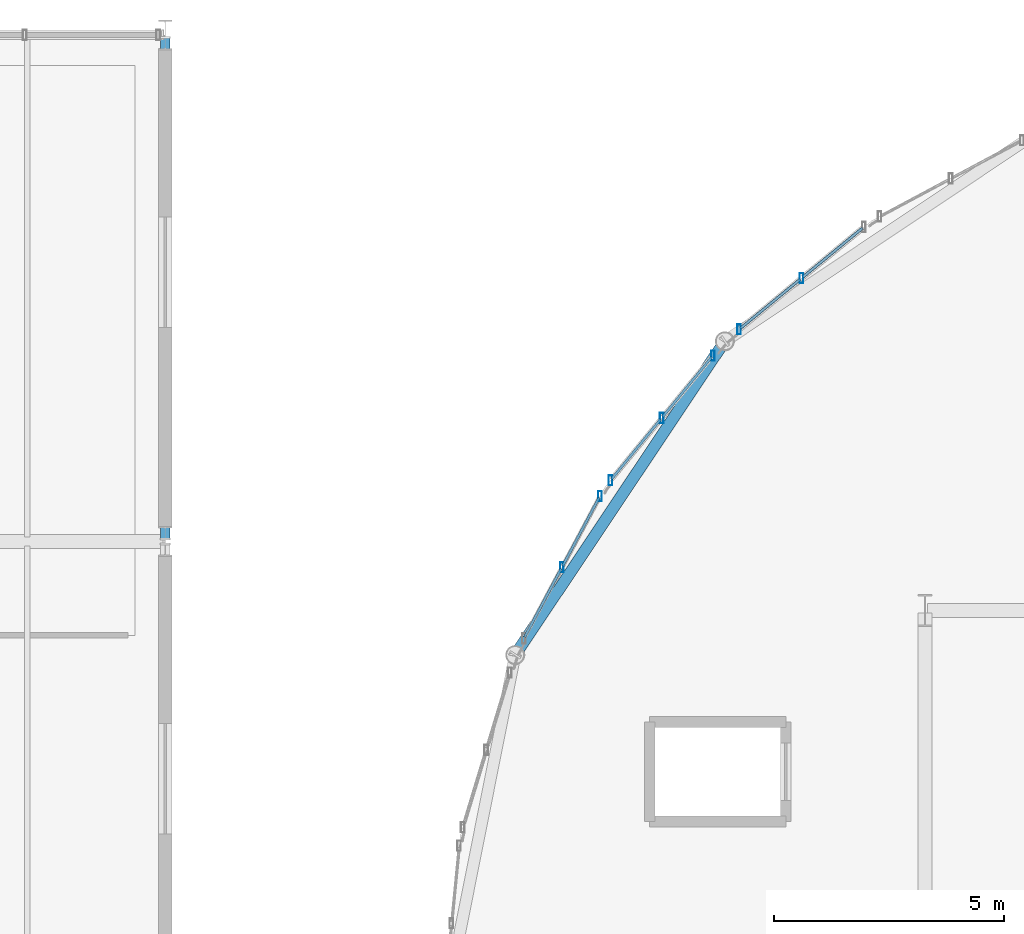
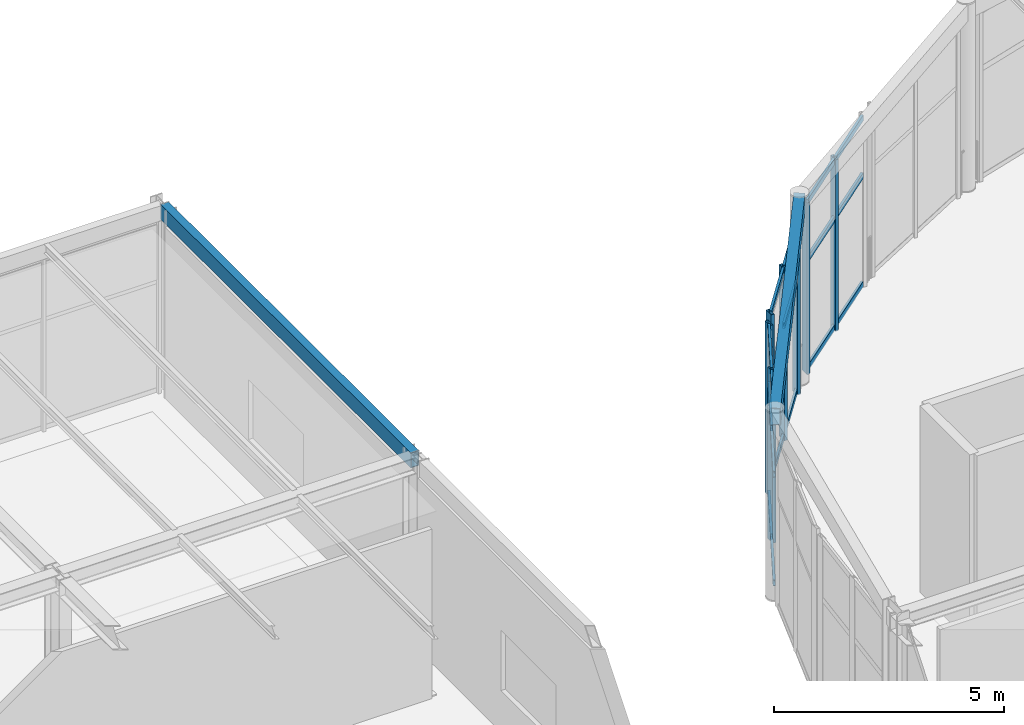
# One storey, part 56 of 195: 25 members, 2 beams, 3 elements without a shape of their own.
"""IFC4 building model written with IfcOpenShell, lengths in metres."""

from ifc_helpers import new_model, si_unit, direction, frame, origin, origin_2d, place, context, subcontext, project, spatial, hollow_rectangle, extrude, material, layer, layer_set, material_profile, profile_set, type_object, element, aggregate, save


model = new_model("IFC4")

# Units and contexts
model_context = context("Model", 3, precision=1e-05, world=origin(), true_north=direction((0.0, 1.0)))
body_context = subcontext(model_context, "Body", "Model", "MODEL_VIEW")
ifc_project = project(units=[si_unit("LENGTHUNIT", "METRE"), si_unit("AREAUNIT", "SQUARE_METRE"), si_unit("VOLUMEUNIT", "CUBIC_METRE"), si_unit("PLANEANGLEUNIT", "RADIAN"), si_unit("MASSUNIT", "GRAM", prefix="KILO")], contexts=[model_context])

# Site, building, storey
site_placement = place(None, origin())
site = spatial("IfcSite", under=ifc_project, at=site_placement, CompositionType="ELEMENT")
building_placement = place(site_placement, origin())
building = spatial("IfcBuilding", under=site, at=building_placement, Name="Marlcrest Central Station", CompositionType="ELEMENT")
storey_placement = place(building_placement, frame((0.0, 0.0, 9.800048828125)))
storey = spatial("IfcBuildingStorey", under=building, at=storey_placement, Name="L02", CompositionType="ELEMENT", Elevation=9.800048828125)

# Curtain wall, members
ifc_material_1 = material(Name="Anodised aluminium and hurricane laminated glass", Category="aluminium")
ifc_layer = layer(ifc_material_1, 0.219970703125, Name="CW-U1")
ifc_layer_set = layer_set([ifc_layer], Name="Anodised aluminium and hurricane laminated glass")
curtain_wall_type = type_object("IfcCurtainWallType", Name="CW-U1", PredefinedType="USERDEFINED", material=ifc_layer_set)
curtain_wall_1_placement = place(storey_placement, origin())
curtain_wall_1 = element("IfcCurtainWall", 1, at=curtain_wall_1_placement, inside=storey, type_object=curtain_wall_type, Name="cw-L02-0069", ObjectType="UNITISED_CURTAIN_WALL", PredefinedType="USERDEFINED")
ifc_material_2 = material(Name="Anodised aluminium 6063-T6", Category="aluminium")
ifc_material_profile_1 = material_profile(ifc_material_2, hollow_rectangle(XDim=0.080078125, YDim=0.219970703125, WallThickness=0.006103515625, at=origin_2d()), Name="AA-RHS 220x80x6")
ifc_profile_set_1 = profile_set([ifc_material_profile_1], Name="Anodised aluminium 6063-T6")
member_type_1 = type_object("IfcMemberType", Name="ML-01", PredefinedType="MULLION", material=ifc_profile_set_1)
member_1_placement = place(storey_placement, frame((89.61572265625, 120.43896484375, -0.030029296875), z_axis=(0.0, 0.0, 1.0), x_axis=(1.0, 0.0, 0.0)))
member_1 = element("IfcMember", 2, at=member_1_placement, type_object=member_type_1, Name="cw-L02-0069-ml-1", PredefinedType="MULLION", context=body_context, shape_type="SweptSolid", body=[
    extrude(hollow_rectangle(XDim=0.080078125, YDim=0.219970703125, WallThickness=0.006103515625, at=origin_2d()), origin(), (0.0, 0.0, 1.0), 4.56005859375),
])
member_2_placement = place(storey_placement, frame((90.44189453125, 121.985595703125, -0.030029296875), z_axis=(0.0, 0.0, 1.0), x_axis=(1.0, 0.0, 0.0)))
member_2 = element("IfcMember", 3, at=member_2_placement, type_object=member_type_1, Name="cw-L02-0069-ml-2", PredefinedType="MULLION", context=body_context, shape_type="SweptSolid", body=[
    extrude(hollow_rectangle(XDim=0.080078125, YDim=0.219970703125, WallThickness=0.006103515625, at=origin_2d()), origin(), (0.0, 0.0, 1.0), 4.56005859375),
])

curtain_wall_2_placement = place(storey_placement, origin())
curtain_wall_2 = element("IfcCurtainWall", 4, at=curtain_wall_2_placement, inside=storey, type_object=curtain_wall_type, Name="cw-L02-0070", ObjectType="UNITISED_CURTAIN_WALL", PredefinedType="USERDEFINED")
member_3_placement = place(storey_placement, frame((90.669677734375, 122.326171875, -0.030029296875), z_axis=(0.0, 0.0, 1.0), x_axis=(1.0, 0.0, 0.0)))
member_3 = element("IfcMember", 5, at=member_3_placement, type_object=member_type_1, Name="cw-L02-0070-ml-0", PredefinedType="MULLION", context=body_context, shape_type="SweptSolid", body=[
    extrude(hollow_rectangle(XDim=0.080078125, YDim=0.219970703125, WallThickness=0.006103515625, at=origin_2d()), origin(), (0.0, 0.0, 1.0), 4.56005859375),
])
member_4_placement = place(storey_placement, frame((91.781982421875, 123.681396484375, -0.030029296875), z_axis=(0.0, 0.0, 1.0), x_axis=(1.0, 0.0, 0.0)))
member_4 = element("IfcMember", 6, at=member_4_placement, type_object=member_type_1, Name="cw-L02-0070-ml-1", PredefinedType="MULLION", context=body_context, shape_type="SweptSolid", body=[
    extrude(hollow_rectangle(XDim=0.080078125, YDim=0.219970703125, WallThickness=0.006103515625, at=origin_2d()), origin(), (0.0, 0.0, 1.0), 4.56005859375),
])
member_5_placement = place(storey_placement, frame((92.89453125, 125.03662109375, -0.030029296875), z_axis=(0.0, 0.0, 1.0), x_axis=(1.0, 0.0, 0.0)))
member_5 = element("IfcMember", 7, at=member_5_placement, type_object=member_type_1, Name="cw-L02-0070-ml-2", PredefinedType="MULLION", context=body_context, shape_type="SweptSolid", body=[
    extrude(hollow_rectangle(XDim=0.080078125, YDim=0.219970703125, WallThickness=0.006103515625, at=origin_2d()), origin(), (0.0, 0.0, 1.0), 4.56005859375),
])

curtain_wall_3_placement = place(storey_placement, origin())
curtain_wall_3 = element("IfcCurtainWall", 8, at=curtain_wall_3_placement, inside=storey, type_object=curtain_wall_type, Name="cw-L02-0071", ObjectType="UNITISED_CURTAIN_WALL", PredefinedType="USERDEFINED")
member_6_placement = place(storey_placement, frame((93.46337890625, 125.60546875, -0.030029296875), z_axis=(0.0, 0.0, 1.0), x_axis=(1.0, 0.0, 0.0)))
member_6 = element("IfcMember", 9, at=member_6_placement, type_object=member_type_1, Name="cw-L02-0071-ml-0", PredefinedType="MULLION", context=body_context, shape_type="SweptSolid", body=[
    extrude(hollow_rectangle(XDim=0.080078125, YDim=0.219970703125, WallThickness=0.006103515625, at=origin_2d()), origin(), (0.0, 0.0, 1.0), 4.56005859375),
])
member_7_placement = place(storey_placement, frame((94.818603515625, 126.718017578125, -0.030029296875), z_axis=(0.0, 0.0, 1.0), x_axis=(1.0, 0.0, 0.0)))
member_7 = element("IfcMember", 10, at=member_7_placement, type_object=member_type_1, Name="cw-L02-0071-ml-1", PredefinedType="MULLION", context=body_context, shape_type="SweptSolid", body=[
    extrude(hollow_rectangle(XDim=0.080078125, YDim=0.219970703125, WallThickness=0.006103515625, at=origin_2d()), origin(), (0.0, 0.0, 1.0), 4.56005859375),
])

# Beams
ifc_material_3 = material(Name="Steel S355", Category="steel")
ifc_material_profile_2 = material_profile(ifc_material_3, hollow_rectangle(XDim=0.199951171875, YDim=0.39990234375, WallThickness=0.01611328125, at=origin_2d()), Name="RHS 400x200x16")
ifc_profile_set_2 = profile_set([ifc_material_profile_2], Name="Steel S355")
beam_type_1 = type_object("IfcBeamType", Name="SP-01", PredefinedType="SPANDREL", material=ifc_profile_set_2)
beam_1_placement = place(storey_placement, frame((81.0, 121.050048828125, 4.77490234375), z_axis=(0.0, 1.0, 0.0), x_axis=(-1.0, 0.0, 0.0)))
element("IfcBeam", 11, at=beam_1_placement, inside=storey, type_object=beam_type_1, Name="bm-SP-01-L02-00413", PredefinedType="SPANDREL", context=body_context, shape_type="SweptSolid", body=[
    extrude(hollow_rectangle(XDim=0.199951171875, YDim=0.39990234375, WallThickness=0.01611328125, at=origin_2d()), origin(), (0.0, 0.0, 1.0), 10.89990234375),
])
ifc_material_profile_3 = material_profile(ifc_material_3, hollow_rectangle(XDim=0.25, YDim=0.449951171875, WallThickness=0.01611328125, at=origin_2d()), Name="RHS 450x250x16")
ifc_profile_set_3 = profile_set([ifc_material_profile_3], Name="Steel S355")
beam_type_2 = type_object("IfcBeamType", Name="SP-02", PredefinedType="SPANDREL", material=ifc_profile_set_3)
beam_2_placement = place(storey_placement, frame((88.59912109375, 118.535888671875, 4.77001953125), z_axis=(0.55551129271, 0.831508991937, 0.0), x_axis=(-0.831508991937, 0.55551129271, 0.0)))
element("IfcBeam", 12, at=beam_2_placement, inside=storey, type_object=beam_type_2, Name="bm-SP-02-L02-01478", PredefinedType="SPANDREL", context=body_context, shape_type="SweptSolid", body=[
    extrude(hollow_rectangle(XDim=0.25, YDim=0.449951171875, WallThickness=0.01611328125, at=origin_2d()), origin(), (0.0, 0.0, 1.0), 8.19384765625),
])

# Member
ifc_material_profile_4 = material_profile(ifc_material_2, hollow_rectangle(XDim=0.06005859375, YDim=0.14990234375, WallThickness=0.00390625, at=origin_2d()), Name="AA-RHS 150x60x4")
ifc_profile_set_4 = profile_set([ifc_material_profile_4], Name="Anodised aluminium 6063-T6")
member_type_2 = type_object("IfcMemberType", Name="TR-01", PredefinedType="USERDEFINED", material=ifc_profile_set_4)
member_8_placement = place(storey_placement, frame((88.807373046875, 118.92578125, 0.0400390625), z_axis=(0.471207478568, 0.882022398889, 0.0), x_axis=(-0.882022398889, 0.471207478568, 0.0)))
member_8 = element("IfcMember", 13, at=member_8_placement, type_object=member_type_2, Name="cw-L02-0069-tr-0-sill", ObjectType="TRANSOM", PredefinedType="USERDEFINED", context=body_context, shape_type="SweptSolid", body=[
    extrude(hollow_rectangle(XDim=0.06005859375, YDim=0.14990234375, WallThickness=0.00390625, at=origin_2d()), origin(), (0.0, 0.0, 1.0), 1.677734375),
])

member_9_placement = place(storey_placement, frame((88.807373046875, 118.92578125, 2.925048828125), z_axis=(0.471207478568, 0.882022398889, 0.0), x_axis=(-0.882022398889, 0.471207478568, 0.0)))
member_9 = element("IfcMember", 14, at=member_9_placement, type_object=member_type_2, Name="cw-L02-0069-tr-0-mid", ObjectType="TRANSOM", PredefinedType="USERDEFINED", context=body_context, shape_type="SweptSolid", body=[
    extrude(hollow_rectangle(XDim=0.06005859375, YDim=0.14990234375, WallThickness=0.00390625, at=origin_2d()), origin(), (0.0, 0.0, 1.0), 1.677734375),
])

member_10_placement = place(storey_placement, frame((88.807373046875, 118.92578125, 4.4599609375), z_axis=(0.471207478568, 0.882022398889, 0.0), x_axis=(-0.882022398889, 0.471207478568, 0.0)))
member_10 = element("IfcMember", 15, at=member_10_placement, type_object=member_type_2, Name="cw-L02-0069-tr-0-head", ObjectType="TRANSOM", PredefinedType="USERDEFINED", context=body_context, shape_type="SweptSolid", body=[
    extrude(hollow_rectangle(XDim=0.06005859375, YDim=0.14990234375, WallThickness=0.00390625, at=origin_2d()), origin(), (0.0, 0.0, 1.0), 1.677734375),
])

member_11_placement = place(storey_placement, frame((89.633544921875, 120.472412109375, 0.0400390625), z_axis=(0.47126796736, 0.881990080976, 0.0), x_axis=(-0.881990080976, 0.47126796736, 0.0)))
member_11 = element("IfcMember", 16, at=member_11_placement, type_object=member_type_2, Name="cw-L02-0069-tr-1-sill", ObjectType="TRANSOM", PredefinedType="USERDEFINED", context=body_context, shape_type="SweptSolid", body=[
    extrude(hollow_rectangle(XDim=0.06005859375, YDim=0.14990234375, WallThickness=0.00390625, at=origin_2d()), origin(), (0.0, 0.0, 1.0), 1.677490234375),
])

member_12_placement = place(storey_placement, frame((89.633544921875, 120.472412109375, 2.925048828125), z_axis=(0.47126796736, 0.881990080976, 0.0), x_axis=(-0.881990080976, 0.47126796736, 0.0)))
member_12 = element("IfcMember", 17, at=member_12_placement, type_object=member_type_2, Name="cw-L02-0069-tr-1-mid", ObjectType="TRANSOM", PredefinedType="USERDEFINED", context=body_context, shape_type="SweptSolid", body=[
    extrude(hollow_rectangle(XDim=0.06005859375, YDim=0.14990234375, WallThickness=0.00390625, at=origin_2d()), origin(), (0.0, 0.0, 1.0), 1.677490234375),
])

member_13_placement = place(storey_placement, frame((89.633544921875, 120.472412109375, 4.4599609375), z_axis=(0.47126796736, 0.881990080976, 0.0), x_axis=(-0.881990080976, 0.47126796736, 0.0)))
member_13 = element("IfcMember", 18, at=member_13_placement, type_object=member_type_2, Name="cw-L02-0069-tr-1-head", ObjectType="TRANSOM", PredefinedType="USERDEFINED", context=body_context, shape_type="SweptSolid", body=[
    extrude(hollow_rectangle(XDim=0.06005859375, YDim=0.14990234375, WallThickness=0.00390625, at=origin_2d()), origin(), (0.0, 0.0, 1.0), 1.677490234375),
])

aggregate(curtain_wall_1, [member_1, member_2, member_8, member_9, member_10, member_11, member_12, member_13])

member_14_placement = place(storey_placement, frame((90.693603515625, 122.35546875, 0.0400390625), z_axis=(0.634512842936, 0.772912318539, 0.0), x_axis=(-0.772912318539, 0.634512842936, 0.0)))
member_14 = element("IfcMember", 19, at=member_14_placement, type_object=member_type_2, Name="cw-L02-0070-tr-0-sill", ObjectType="TRANSOM", PredefinedType="USERDEFINED", context=body_context, shape_type="SweptSolid", body=[
    extrude(hollow_rectangle(XDim=0.06005859375, YDim=0.14990234375, WallThickness=0.00390625, at=origin_2d()), origin(), (0.0, 0.0, 1.0), 1.677490234375),
])

member_15_placement = place(storey_placement, frame((90.693603515625, 122.35546875, 2.925048828125), z_axis=(0.634512842936, 0.772912318539, 0.0), x_axis=(-0.772912318539, 0.634512842936, 0.0)))
member_15 = element("IfcMember", 20, at=member_15_placement, type_object=member_type_2, Name="cw-L02-0070-tr-0-mid", ObjectType="TRANSOM", PredefinedType="USERDEFINED", context=body_context, shape_type="SweptSolid", body=[
    extrude(hollow_rectangle(XDim=0.06005859375, YDim=0.14990234375, WallThickness=0.00390625, at=origin_2d()), origin(), (0.0, 0.0, 1.0), 1.677490234375),
])

member_16_placement = place(storey_placement, frame((90.693603515625, 122.35546875, 4.4599609375), z_axis=(0.634512842936, 0.772912318539, 0.0), x_axis=(-0.772912318539, 0.634512842936, 0.0)))
member_16 = element("IfcMember", 21, at=member_16_placement, type_object=member_type_2, Name="cw-L02-0070-tr-0-head", ObjectType="TRANSOM", PredefinedType="USERDEFINED", context=body_context, shape_type="SweptSolid", body=[
    extrude(hollow_rectangle(XDim=0.06005859375, YDim=0.14990234375, WallThickness=0.00390625, at=origin_2d()), origin(), (0.0, 0.0, 1.0), 1.677490234375),
])

member_17_placement = place(storey_placement, frame((91.80615234375, 123.710693359375, 0.0400390625), z_axis=(0.634512842936, 0.772912318539, 0.0), x_axis=(-0.772912318539, 0.634512842936, 0.0)))
member_17 = element("IfcMember", 22, at=member_17_placement, type_object=member_type_2, Name="cw-L02-0070-tr-1-sill", ObjectType="TRANSOM", PredefinedType="USERDEFINED", context=body_context, shape_type="SweptSolid", body=[
    extrude(hollow_rectangle(XDim=0.06005859375, YDim=0.14990234375, WallThickness=0.00390625, at=origin_2d()), origin(), (0.0, 0.0, 1.0), 1.677490234375),
])

member_18_placement = place(storey_placement, frame((91.80615234375, 123.710693359375, 2.925048828125), z_axis=(0.634512842936, 0.772912318539, 0.0), x_axis=(-0.772912318539, 0.634512842936, 0.0)))
member_18 = element("IfcMember", 23, at=member_18_placement, type_object=member_type_2, Name="cw-L02-0070-tr-1-mid", ObjectType="TRANSOM", PredefinedType="USERDEFINED", context=body_context, shape_type="SweptSolid", body=[
    extrude(hollow_rectangle(XDim=0.06005859375, YDim=0.14990234375, WallThickness=0.00390625, at=origin_2d()), origin(), (0.0, 0.0, 1.0), 1.677490234375),
])

member_19_placement = place(storey_placement, frame((91.80615234375, 123.710693359375, 4.4599609375), z_axis=(0.634512842936, 0.772912318539, 0.0), x_axis=(-0.772912318539, 0.634512842936, 0.0)))
member_19 = element("IfcMember", 24, at=member_19_placement, type_object=member_type_2, Name="cw-L02-0070-tr-1-head", ObjectType="TRANSOM", PredefinedType="USERDEFINED", context=body_context, shape_type="SweptSolid", body=[
    extrude(hollow_rectangle(XDim=0.06005859375, YDim=0.14990234375, WallThickness=0.00390625, at=origin_2d()), origin(), (0.0, 0.0, 1.0), 1.677490234375),
])

aggregate(curtain_wall_2, [member_3, member_4, member_5, member_14, member_15, member_16, member_17, member_18, member_19])

member_20_placement = place(storey_placement, frame((93.49267578125, 125.62939453125, 0.0400390625), z_axis=(0.772912318539, 0.634512842936, 0.0), x_axis=(-0.634512842936, 0.772912318539, 0.0)))
member_20 = element("IfcMember", 25, at=member_20_placement, type_object=member_type_2, Name="cw-L02-0071-tr-0-sill", ObjectType="TRANSOM", PredefinedType="USERDEFINED", context=body_context, shape_type="SweptSolid", body=[
    extrude(hollow_rectangle(XDim=0.06005859375, YDim=0.14990234375, WallThickness=0.00390625, at=origin_2d()), origin(), (0.0, 0.0, 1.0), 1.677490234375),
])

member_21_placement = place(storey_placement, frame((93.49267578125, 125.62939453125, 2.925048828125), z_axis=(0.772912318539, 0.634512842936, 0.0), x_axis=(-0.634512842936, 0.772912318539, 0.0)))
member_21 = element("IfcMember", 26, at=member_21_placement, type_object=member_type_2, Name="cw-L02-0071-tr-0-mid", ObjectType="TRANSOM", PredefinedType="USERDEFINED", context=body_context, shape_type="SweptSolid", body=[
    extrude(hollow_rectangle(XDim=0.06005859375, YDim=0.14990234375, WallThickness=0.00390625, at=origin_2d()), origin(), (0.0, 0.0, 1.0), 1.677490234375),
])

member_22_placement = place(storey_placement, frame((93.49267578125, 125.62939453125, 4.4599609375), z_axis=(0.772912318539, 0.634512842936, 0.0), x_axis=(-0.634512842936, 0.772912318539, 0.0)))
member_22 = element("IfcMember", 27, at=member_22_placement, type_object=member_type_2, Name="cw-L02-0071-tr-0-head", ObjectType="TRANSOM", PredefinedType="USERDEFINED", context=body_context, shape_type="SweptSolid", body=[
    extrude(hollow_rectangle(XDim=0.06005859375, YDim=0.14990234375, WallThickness=0.00390625, at=origin_2d()), origin(), (0.0, 0.0, 1.0), 1.677490234375),
])

member_23_placement = place(storey_placement, frame((94.847900390625, 126.741943359375, 0.0400390625), z_axis=(0.772912318539, 0.634512842936, 0.0), x_axis=(-0.634512842936, 0.772912318539, 0.0)))
member_23 = element("IfcMember", 28, at=member_23_placement, type_object=member_type_2, Name="cw-L02-0071-tr-1-sill", ObjectType="TRANSOM", PredefinedType="USERDEFINED", context=body_context, shape_type="SweptSolid", body=[
    extrude(hollow_rectangle(XDim=0.06005859375, YDim=0.14990234375, WallThickness=0.00390625, at=origin_2d()), origin(), (0.0, 0.0, 1.0), 1.677490234375),
])

member_24_placement = place(storey_placement, frame((94.847900390625, 126.741943359375, 2.925048828125), z_axis=(0.772912318539, 0.634512842936, 0.0), x_axis=(-0.634512842936, 0.772912318539, 0.0)))
member_24 = element("IfcMember", 29, at=member_24_placement, type_object=member_type_2, Name="cw-L02-0071-tr-1-mid", ObjectType="TRANSOM", PredefinedType="USERDEFINED", context=body_context, shape_type="SweptSolid", body=[
    extrude(hollow_rectangle(XDim=0.06005859375, YDim=0.14990234375, WallThickness=0.00390625, at=origin_2d()), origin(), (0.0, 0.0, 1.0), 1.677490234375),
])

member_25_placement = place(storey_placement, frame((94.847900390625, 126.741943359375, 4.4599609375), z_axis=(0.772912318539, 0.634512842936, 0.0), x_axis=(-0.634512842936, 0.772912318539, 0.0)))
member_25 = element("IfcMember", 30, at=member_25_placement, type_object=member_type_2, Name="cw-L02-0071-tr-1-head", ObjectType="TRANSOM", PredefinedType="USERDEFINED", context=body_context, shape_type="SweptSolid", body=[
    extrude(hollow_rectangle(XDim=0.06005859375, YDim=0.14990234375, WallThickness=0.00390625, at=origin_2d()), origin(), (0.0, 0.0, 1.0), 1.677490234375),
])

aggregate(curtain_wall_3, [member_6, member_7, member_20, member_21, member_22, member_23, member_24, member_25])

save(model, "model.ifc")
